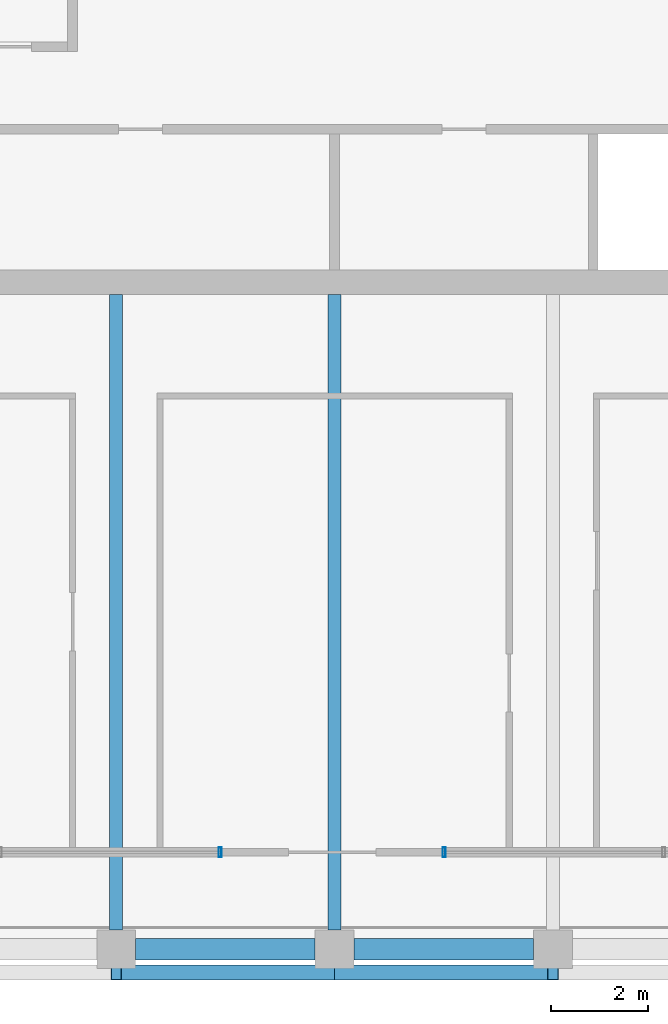
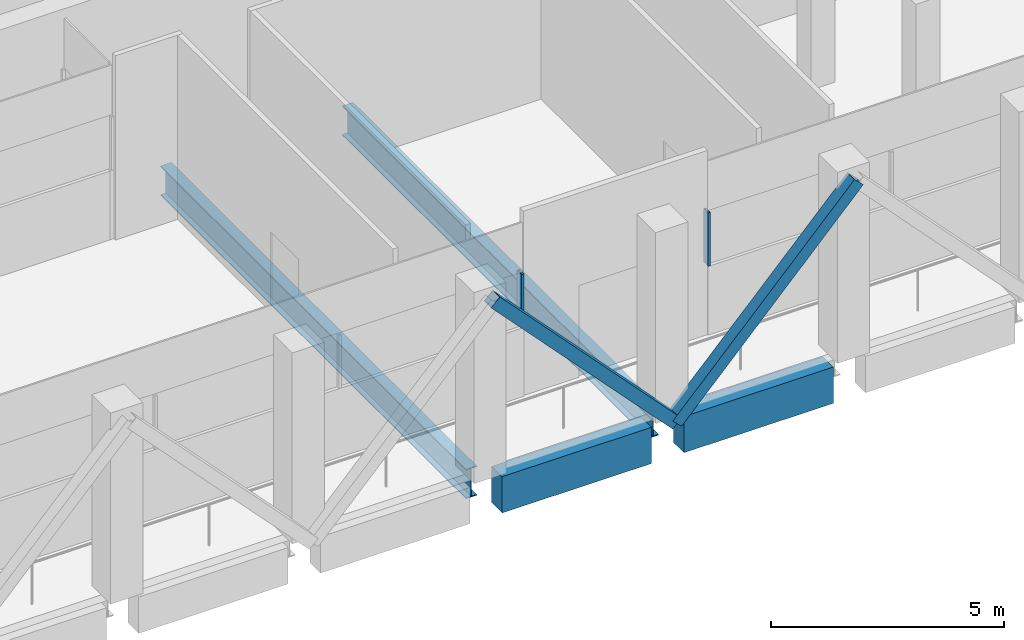
# One storey, part 6 of 21: 4 beams, 4 members, 2 elements without a shape of their own.
"""IFC4 building model written with IfcOpenShell, lengths in metres."""

from ifc_helpers import new_model, si_unit, direction, frame, origin, origin_2d, place, context, subcontext, project, spatial, rectangle, hollow_rectangle, i_section, extrude, material, material_profile, profile_set, type_object, element, aggregate, save


model = new_model("IFC4")

# Units and contexts
model_context = context("Model", 3, precision=1e-05, world=origin(), true_north=direction((0.0, 1.0)))
body_context = subcontext(model_context, "Body", "Model", "MODEL_VIEW")
ifc_project = project(units=[si_unit("LENGTHUNIT", "METRE"), si_unit("AREAUNIT", "SQUARE_METRE"), si_unit("VOLUMEUNIT", "CUBIC_METRE"), si_unit("PLANEANGLEUNIT", "RADIAN"), si_unit("MASSUNIT", "GRAM", prefix="KILO")], contexts=[model_context])

# Site, building, storey
site_placement = place(None, origin())
site = spatial("IfcSite", under=ifc_project, at=site_placement, CompositionType="ELEMENT")
building_placement = place(site_placement, origin())
building = spatial("IfcBuilding", under=site, at=building_placement, Name="Altepetl Exchange Towers", CompositionType="ELEMENT")
storey_placement = place(building_placement, frame((0.0, 0.0, 246.0)))
storey = spatial("IfcBuildingStorey", under=building, at=storey_placement, Name="L63 Refuge", CompositionType="ELEMENT", Elevation=246.0)

# Members
ifc_material_1 = material(Name="Steel S355", Category="steel")
ifc_material_profile_1 = material_profile(ifc_material_1, hollow_rectangle(XDim=0.304931640625, YDim=0.304931640625, WallThickness=0.01171875, at=origin_2d()), Name="HSS305X305X12.7")
ifc_profile_set_1 = profile_set([ifc_material_profile_1], Name="Steel S355")
member_type_1 = type_object("IfcMemberType", Name="Belt diagonal HSS305X305X12.7", PredefinedType="BRACE", material=ifc_profile_set_1)
for number, where, z_axis, x_axis, name in (
    (1, (45.0, 26.52001953125, 4.75), (0.687744647911, 0.0, -0.725952683906), (0.0, 1.0, 0.0), "brc:A:L63:003"),
    (2, (49.5, 26.52001953125, 0.0), (0.687744647911, 0.0, 0.725952683906), (0.0, 1.0, 0.0), "brc:A:L63:004"),
):
    element("IfcMember", number, at=place(storey_placement, frame(where, z_axis=z_axis, x_axis=x_axis)), inside=storey, type_object=member_type_1, Name=name, PredefinedType="BRACE", context=body_context, shape_type="SweptSolid", body=[
        extrude(hollow_rectangle(XDim=0.304931640625, YDim=0.304931640625, WallThickness=0.01171875, at=origin_2d()), origin(), (0.0, 0.0, 1.0), 6.543212890625),
    ])

# Beams
ifc_material_profile_2 = material_profile(ifc_material_1, i_section(OverallWidth=0.26806640625, OverallDepth=0.77392578125, WebThickness=0.015380859375, FlangeThickness=0.025390625, at=origin_2d()), Name="W30X132")
ifc_profile_set_2 = profile_set([ifc_material_profile_2], Name="Steel S355")
beam_type_1 = type_object("IfcBeamType", Name="Floor beam W30X132", PredefinedType="BEAM", material=ifc_profile_set_2)
for number, where, z_axis, x_axis, name in (
    (3, (45.0, 27.39990234375, -0.5869140625), (0.0, 1.0, 0.0), (-1.0, 0.0, 0.0), "bm:A:L63:015"),
    (4, (49.5, 27.39990234375, -0.5869140625), (0.0, 1.0, 0.0), (-1.0, 0.0, 0.0), "bm:A:L63:016"),
):
    element("IfcBeam", number, at=place(storey_placement, frame(where, z_axis=z_axis, x_axis=x_axis)), inside=storey, type_object=beam_type_1, Name=name, PredefinedType="BEAM", context=body_context, shape_type="SweptSolid", body=[
        extrude(i_section(OverallWidth=0.26806640625, OverallDepth=0.77392578125, WebThickness=0.015380859375, FlangeThickness=0.025390625, at=origin_2d()), origin(), (0.0, 0.0, 1.0), 13.10009765625),
    ])

# Curtain wall, member
ifc_material_2 = material(Name="Aluminium 6063-T6 glazing", Category="aluminium")
curtain_wall_type = type_object("IfcCurtainWallType", Name="Refuge slit glazing system", PredefinedType="NOTDEFINED", material=ifc_material_2)
curtain_wall_1_placement = place(storey_placement, origin())
curtain_wall_1 = element("IfcCurtainWall", 5, at=curtain_wall_1_placement, inside=storey, type_object=curtain_wall_type, Name="CW3 run", PredefinedType="NOTDEFINED")
ifc_material_3 = material(Name="Aluminium 6063-T6", Category="aluminium")
ifc_material_profile_3 = material_profile(ifc_material_3, hollow_rectangle(XDim=0.06005859375, YDim=0.199951171875, WallThickness=0.0029296875, at=origin_2d()), Name="Mullion 60x200 aluminium")
ifc_profile_set_3 = profile_set([ifc_material_profile_3], Name="Aluminium 6063-T6")
member_type_2 = type_object("IfcMemberType", Name="Mullion 60x200 aluminium", PredefinedType="MULLION", material=ifc_profile_set_3)
member_1_placement = place(storey_placement, frame((47.141357421875, 29.0, 1.800048828125)))
member_1 = element("IfcMember", 6, at=member_1_placement, type_object=member_type_2, Name="MU2 mullion", PredefinedType="MULLION", context=body_context, shape_type="SweptSolid", body=[
    extrude(hollow_rectangle(XDim=0.06005859375, YDim=0.199951171875, WallThickness=0.0029296875, at=origin_2d()), origin(), (0.0, 0.0, 1.0), 1.39990234375),
])
aggregate(curtain_wall_1, [member_1])

curtain_wall_2_placement = place(storey_placement, origin())
curtain_wall_2 = element("IfcCurtainWall", 7, at=curtain_wall_2_placement, inside=storey, type_object=curtain_wall_type, Name="CW3 run", PredefinedType="NOTDEFINED")
member_2_placement = place(storey_placement, frame((51.758544921875, 29.0, 1.800048828125)))
member_2 = element("IfcMember", 8, at=member_2_placement, type_object=member_type_2, Name="MU2 mullion", PredefinedType="MULLION", context=body_context, shape_type="SweptSolid", body=[
    extrude(hollow_rectangle(XDim=0.06005859375, YDim=0.199951171875, WallThickness=0.0029296875, at=origin_2d()), origin(), (0.0, 0.0, 1.0), 1.39990234375),
])
aggregate(curtain_wall_2, [member_2])

# Beams
ifc_material_4 = material(Name="Concrete C50/60 precast with cantera blanca facing", Category="concrete")
ifc_material_profile_4 = material_profile(ifc_material_4, rectangle(XDim=0.449951171875, YDim=0.949951171875, at=origin_2d()), Name="450 x 950")
ifc_profile_set_4 = profile_set([ifc_material_profile_4], Name="Concrete C50/60 precast with cantera blanca facing")
beam_type_2 = type_object("IfcBeamType", Name="Spandrel beam 450x950 cantera blanca", PredefinedType="SPANDREL", material=ifc_profile_set_4)
for number, where, z_axis, x_axis, name in (
    (9, (45.39990234375, 27.0, -0.675048828125), (1.0, 0.0, 0.0), (0.0, 1.0, 0.0), "sp:A:L63:003"),
    (10, (49.89990234375, 27.0, -0.675048828125), (1.0, 0.0, 0.0), (0.0, 1.0, 0.0), "sp:A:L63:004"),
):
    element("IfcBeam", number, at=place(storey_placement, frame(where, z_axis=z_axis, x_axis=x_axis)), inside=storey, type_object=beam_type_2, Name=name, PredefinedType="SPANDREL", context=body_context, shape_type="SweptSolid", body=[
        extrude(rectangle(XDim=0.449951171875, YDim=0.949951171875, at=origin_2d()), origin(), (0.0, 0.0, 1.0), 3.7001953125),
    ])

save(model, "model.ifc")
